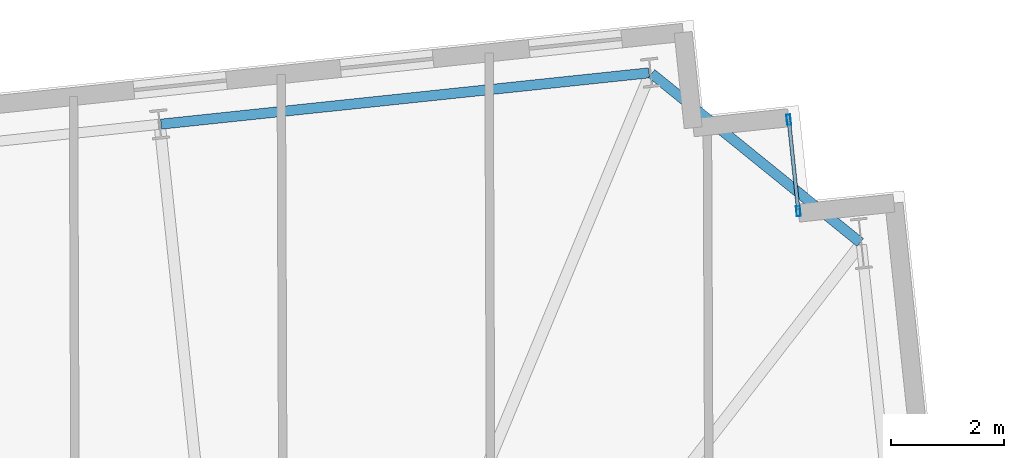
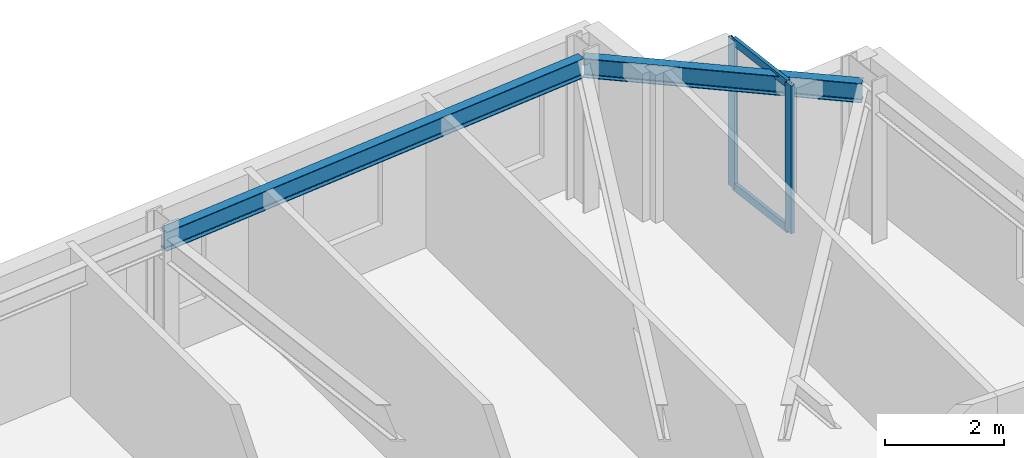
# One storey, part 14 of 22: 4 members, 2 beams, 1 element without a shape of its own.
"""IFC4 building model written with IfcOpenShell, lengths in metres."""

from ifc_helpers import new_model, si_unit, direction, frame, origin, origin_2d, place, context, subcontext, project, spatial, hollow_rectangle, i_section, extrude, material, layer, layer_set, material_profile, profile_set, type_object, element, aggregate, save


model = new_model("IFC4")

# Units and contexts
model_context = context("Model", 3, precision=1e-05, world=origin(), true_north=direction((0.0, 1.0)))
body_context = subcontext(model_context, "Body", "Model", "MODEL_VIEW")
ifc_project = project(units=[si_unit("LENGTHUNIT", "METRE"), si_unit("AREAUNIT", "SQUARE_METRE"), si_unit("VOLUMEUNIT", "CUBIC_METRE"), si_unit("PLANEANGLEUNIT", "RADIAN"), si_unit("MASSUNIT", "GRAM", prefix="KILO")], contexts=[model_context])

# Site, building, storey
site_placement = place(None, origin())
site = spatial("IfcSite", under=ifc_project, at=site_placement, CompositionType="ELEMENT")
building_placement = place(site_placement, origin())
building = spatial("IfcBuilding", under=site, at=building_placement, Name="Qobustan Lattice House", CompositionType="ELEMENT")
storey_placement = place(building_placement, frame((0.0, 0.0, 99.10009765625)))
storey = spatial("IfcBuildingStorey", under=building, at=storey_placement, Name="L27", CompositionType="ELEMENT", Elevation=99.10009765625)

# Beams
ifc_material_1 = material(Name="Steel S355", Category="steel")
ifc_material_profile_1 = material_profile(ifc_material_1, i_section(OverallWidth=0.179931640625, OverallDepth=0.39990234375, WebThickness=0.008544921875, FlangeThickness=0.013427734375, FilletRadius=0.02099609375, at=origin_2d()), Name="IPE400")
ifc_profile_set_1 = profile_set([ifc_material_profile_1], Name="Steel S355")
beam_type = type_object("IfcBeamType", Name="BM-SPD-IPE400", PredefinedType="SPANDREL", material=ifc_profile_set_1)
beam_1_placement = place(storey_placement, frame((29.536865234375, 19.484619140625, 2.844970703125), z_axis=(-0.777140911545, 0.629326627121, 0.0), x_axis=(-0.629326627121, -0.777140911545, 0.0)))
element("IfcBeam", 1, at=beam_1_placement, inside=storey, type_object=beam_type, Name="L27 perimeter spandrel E4-N1", PredefinedType="SPANDREL", context=body_context, shape_type="SweptSolid", body=[
    extrude(i_section(OverallWidth=0.179931640625, OverallDepth=0.39990234375, WebThickness=0.008544921875, FlangeThickness=0.013427734375, FilletRadius=0.02099609375, at=origin_2d()), origin(), (0.0, 0.0, 1.0), 4.758544921875),
])
beam_2_placement = place(storey_placement, frame((25.794677734375, 22.492431640625, 2.844970703125), z_axis=(-0.994521586424, -0.104531402636, 0.0), x_axis=(0.104531402636, -0.994521586424, 0.0)))
element("IfcBeam", 2, at=beam_2_placement, inside=storey, type_object=beam_type, Name="L27 perimeter spandrel N1-N2", PredefinedType="SPANDREL", context=body_context, shape_type="SweptSolid", body=[
    extrude(i_section(OverallWidth=0.179931640625, OverallDepth=0.39990234375, WebThickness=0.008544921875, FlangeThickness=0.013427734375, FilletRadius=0.02099609375, at=origin_2d()), origin(), (0.0, 0.0, 1.0), 8.699951171875),
])

# Curtain wall, members
ifc_material_2 = material(Name="Anodised aluminium and low-E glazing", Category="aluminium")
ifc_layer = layer(ifc_material_2, 0.219970703125)
ifc_layer_set = layer_set([ifc_layer], Name="Anodised aluminium and low-E glazing")
curtain_wall_type = type_object("IfcCurtainWallType", Name="CW-FAC-01", PredefinedType="USERDEFINED", material=ifc_layer_set)
curtain_wall_placement = place(storey_placement, origin())
curtain_wall = element("IfcCurtainWall", 3, at=curtain_wall_placement, inside=storey, type_object=curtain_wall_type, Name="L27 serrated corner faceted glazing 13", ObjectType="CURTAIN WALL", PredefinedType="USERDEFINED")
ifc_material_3 = material(Name="Anodised aluminium EN AW-6063 T6", Category="aluminium")
ifc_material_profile_2 = material_profile(ifc_material_3, hollow_rectangle(XDim=0.070068359375, YDim=0.179931640625, WallThickness=0.00439453125, at=origin_2d()), Name="CWM-180x70")
ifc_profile_set_2 = profile_set([ifc_material_profile_2], Name="Anodised aluminium EN AW-6063 T6")
member_type_1 = type_object("IfcMemberType", Name="CWM-STD-180", PredefinedType="MULLION", material=ifc_profile_set_2)
member_1_placement = place(storey_placement, frame((28.27001953125, 21.66162109375, 0.0), z_axis=(0.0, 0.0, 1.0), x_axis=(0.994521878892, 0.104528620025, 0.0)))
member_1 = element("IfcMember", 4, at=member_1_placement, type_object=member_type_1, Name="CW-F1 mullion 1", PredefinedType="MULLION", context=body_context, shape_type="SweptSolid", body=[
    extrude(hollow_rectangle(XDim=0.070068359375, YDim=0.179931640625, WallThickness=0.00439453125, at=origin_2d()), origin(), (0.0, 0.0, 1.0), 3.044921875),
])
member_2_placement = place(storey_placement, frame((28.4404296875, 20.04052734375, 0.0), z_axis=(0.0, 0.0, 1.0), x_axis=(0.994521878892, 0.104528620025, 0.0)))
member_2 = element("IfcMember", 5, at=member_2_placement, type_object=member_type_1, Name="CW-F1 mullion 2", PredefinedType="MULLION", context=body_context, shape_type="SweptSolid", body=[
    extrude(hollow_rectangle(XDim=0.070068359375, YDim=0.179931640625, WallThickness=0.00439453125, at=origin_2d()), origin(), (0.0, 0.0, 1.0), 3.044921875),
])
ifc_material_4 = material(Name="Anodised aluminium EN AW-6063 T6", Category="aluminium")
ifc_material_profile_3 = material_profile(ifc_material_4, hollow_rectangle(XDim=0.06494140625, YDim=0.159912109375, WallThickness=0.00390625, at=origin_2d()), Name="CWT-160x65")
ifc_profile_set_3 = profile_set([ifc_material_profile_3], Name="Anodised aluminium EN AW-6063 T6")
member_type_2 = type_object("IfcMemberType", Name="CWT-HOR-160", PredefinedType="USERDEFINED", material=ifc_profile_set_3)
member_3_placement = place(storey_placement, frame((28.273681640625, 21.626708984375, 0.032470703125), z_axis=(0.104538150424, -0.994520877159, 0.0), x_axis=(0.994520877159, 0.104538150424, 0.0)))
member_3 = element("IfcMember", 6, at=member_3_placement, type_object=member_type_2, Name="CW-F1 transom 1.1", ObjectType="TRANSOM", PredefinedType="USERDEFINED", context=body_context, shape_type="SweptSolid", body=[
    extrude(hollow_rectangle(XDim=0.06494140625, YDim=0.159912109375, WallThickness=0.00390625, at=origin_2d()), origin(), (0.0, 0.0, 1.0), 1.56005859375),
])
member_4_placement = place(storey_placement, frame((28.273681640625, 21.626708984375, 3.012451171875), z_axis=(0.104538150424, -0.994520877159, 0.0), x_axis=(0.994520877159, 0.104538150424, 0.0)))
member_4 = element("IfcMember", 7, at=member_4_placement, type_object=member_type_2, Name="CW-F1 transom 1.2", ObjectType="TRANSOM", PredefinedType="USERDEFINED", context=body_context, shape_type="SweptSolid", body=[
    extrude(hollow_rectangle(XDim=0.06494140625, YDim=0.159912109375, WallThickness=0.00390625, at=origin_2d()), origin(), (0.0, 0.0, 1.0), 1.56005859375),
])
aggregate(curtain_wall, [member_1, member_2, member_3, member_4])

save(model, "model.ifc")
